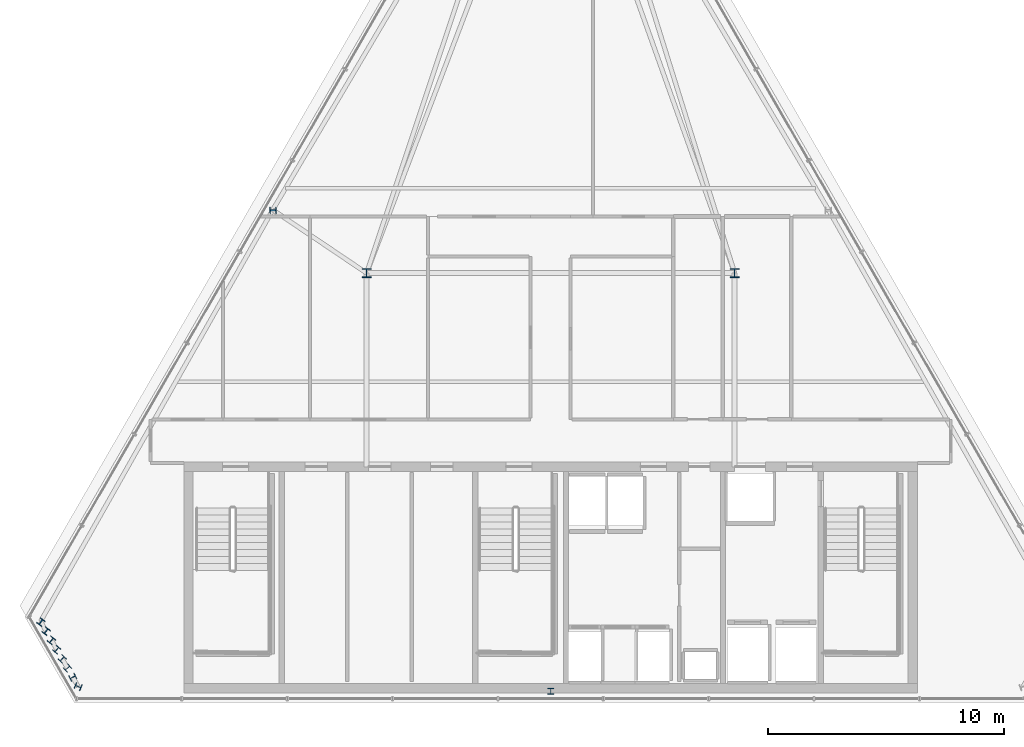
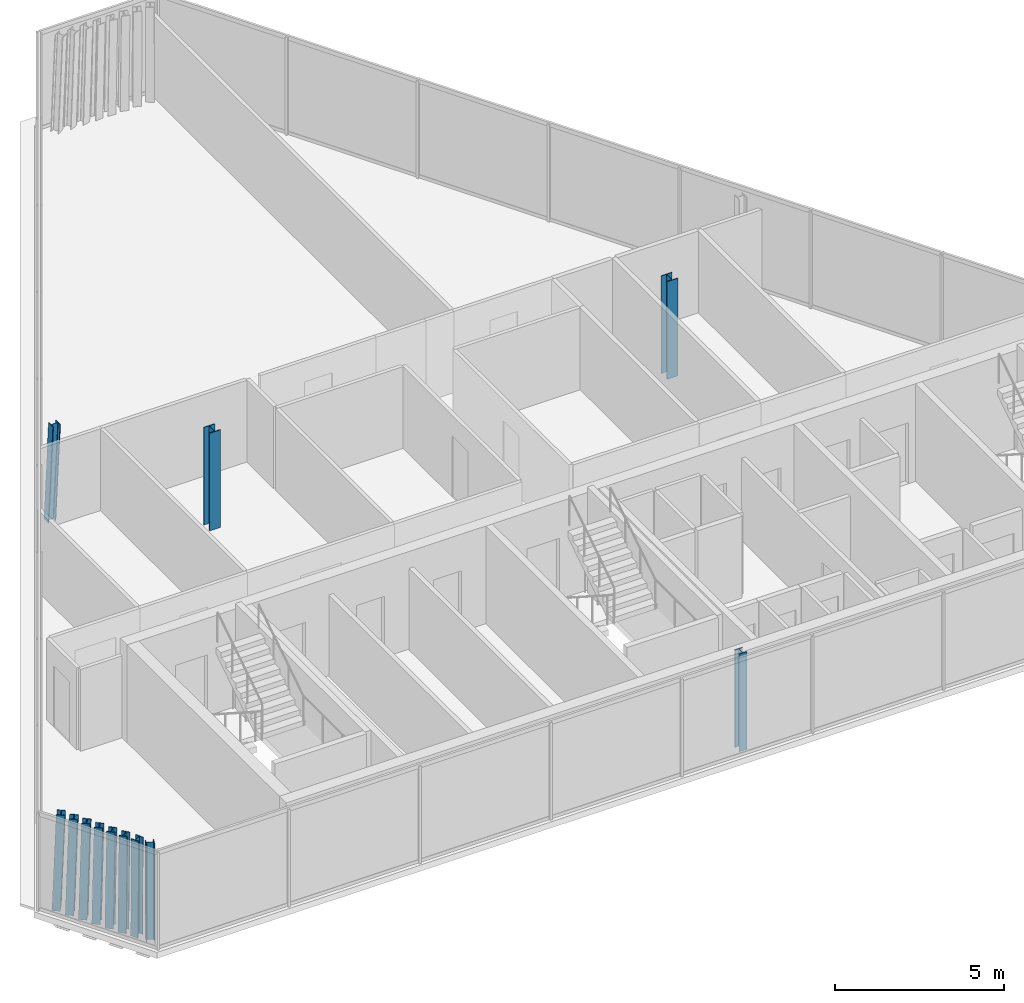
# One storey, part 1 of 32: 12 columns.
"""IFC4 building model written with IfcOpenShell, lengths in metres."""

from ifc_helpers import new_model, si_unit, direction, frame, origin, origin_2d, place, context, subcontext, project, spatial, i_section, extrude, material, material_profile, profile_set, type_object, element, save


model = new_model("IFC4")

# Units and contexts
model_context = context("Model", 3, precision=1e-05, world=origin(), true_north=direction((0.0, 1.0)))
body_context = subcontext(model_context, "Body", "Model", "MODEL_VIEW")
ifc_project = project(units=[si_unit("LENGTHUNIT", "METRE"), si_unit("AREAUNIT", "SQUARE_METRE"), si_unit("VOLUMEUNIT", "CUBIC_METRE"), si_unit("PLANEANGLEUNIT", "RADIAN"), si_unit("MASSUNIT", "GRAM", prefix="KILO")], contexts=[model_context])

# Site, building, storey
site_placement = place(None, origin())
site = spatial("IfcSite", under=ifc_project, at=site_placement, CompositionType="ELEMENT")
building_placement = place(site_placement, origin())
building = spatial("IfcBuilding", under=site, at=building_placement, Name="Ndaravel Arena Tower", CompositionType="ELEMENT")
storey_placement = place(building_placement, frame((0.0, 0.0, 294.699951171875)))
storey = spatial("IfcBuildingStorey", under=building, at=storey_placement, Name="L72", CompositionType="ELEMENT", Elevation=294.699951171875)

# Columns
ifc_material_1 = material(Name="Steel S355", Category="steel")
ifc_material_profile_1 = material_profile(ifc_material_1, i_section(OverallWidth=0.2587890625, OverallDepth=0.2666015625, WebThickness=0.0126953125, FlangeThickness=0.0205078125, FilletRadius=0.0126953125, at=origin_2d()), Name="UC 254x254x107")
ifc_profile_set_1 = profile_set([ifc_material_profile_1], Name="Steel S355")
column_type_1 = type_object("IfcColumnType", Name="COL-CRN-UC107", PredefinedType="COLUMN", material=ifc_profile_set_1)
column_1_placement = place(storey_placement, frame((42.0, 5.47998046875, 0.0), z_axis=(0.0, 0.0, 1.0), x_axis=(1.0, 0.0, 0.0)))
element("IfcColumn", 1, at=column_1_placement, inside=storey, type_object=column_type_1, Name="L72 Framed Tube Column TC-01", PredefinedType="COLUMN", context=body_context, shape_type="SweptSolid", body=[
    extrude(i_section(OverallWidth=0.2587890625, OverallDepth=0.2666015625, WebThickness=0.0126953125, FlangeThickness=0.0205078125, FilletRadius=0.0126953125, at=origin_2d()), origin(), (0.0, 0.0, 1.0), 3.52001953125),
])
for number, where, z_axis, x_axis, name in (
    (2, (30.2216796875, 25.880615234375, 0.0), (0.022172660725, -0.03838641888, 0.999016944782), (0.000225551712, 0.999262773798, 0.038390858658), "L72 Framed Tube Column TC-19"),
    (3, (20.37939453125, 8.438720703125, 0.0), (0.018084834887, -0.040119231415, 0.999031223745), (-0.811379741708, 0.583275624605, 0.038111159608), "L72 Framed Tube Column TC-20"),
):
    element("IfcColumn", number, at=place(storey_placement, frame(where, z_axis=z_axis, x_axis=x_axis)), inside=storey, type_object=column_type_1, Name=name, PredefinedType="COLUMN", context=body_context, shape_type="SweptSolid", body=[
        extrude(i_section(OverallWidth=0.2587890625, OverallDepth=0.2666015625, WebThickness=0.0126953125, FlangeThickness=0.0205078125, FilletRadius=0.0126953125, at=origin_2d()), origin(), (0.0, 0.0, 1.0), 3.5234375),
    ])
column_2_placement = place(storey_placement, frame((20.60693359375, 8.044189453125, 0.0), z_axis=(0.015039815506, -0.034792568591, 0.999281382355), x_axis=(-0.80233555176, 0.595969901273, 0.032825891606)))
element("IfcColumn", 4, at=column_2_placement, inside=storey, type_object=column_type_1, Name="L72 Framed Tube Column TC-21", PredefinedType="COLUMN", context=body_context, shape_type="SweptSolid", body=[
    extrude(i_section(OverallWidth=0.2587890625, OverallDepth=0.2666015625, WebThickness=0.0126953125, FlangeThickness=0.0205078125, FilletRadius=0.0126953125, at=origin_2d()), origin(), (0.0, 0.0, 1.0), 3.5224609375),
])
column_3_placement = place(storey_placement, frame((20.834716796875, 7.649658203125, 0.0), z_axis=(0.011992842699, -0.029392863031, 0.99949598865), x_axis=(-0.789951457202, 0.612552747737, 0.027492299011)))
element("IfcColumn", 5, at=column_3_placement, inside=storey, type_object=column_type_1, Name="L72 Framed Tube Column TC-22", PredefinedType="COLUMN", context=body_context, shape_type="SweptSolid", body=[
    extrude(i_section(OverallWidth=0.2587890625, OverallDepth=0.2666015625, WebThickness=0.0126953125, FlangeThickness=0.0205078125, FilletRadius=0.0126953125, at=origin_2d()), origin(), (0.0, 0.0, 1.0), 3.521728515625),
])
column_4_placement = place(storey_placement, frame((21.0625, 7.255126953125, 0.0), z_axis=(0.008874872109, -0.024059223607, 0.999671141128), x_axis=(-0.768718842118, 0.639201169098, 0.022208268655)))
element("IfcColumn", 6, at=column_4_placement, inside=storey, type_object=column_type_1, Name="L72 Framed Tube Column TC-23", PredefinedType="COLUMN", context=body_context, shape_type="SweptSolid", body=[
    extrude(i_section(OverallWidth=0.2587890625, OverallDepth=0.2666015625, WebThickness=0.0126953125, FlangeThickness=0.0205078125, FilletRadius=0.0126953125, at=origin_2d()), origin(), (0.0, 0.0, 1.0), 3.521240234375),
])
column_5_placement = place(storey_placement, frame((21.290283203125, 6.860595703125, 0.0), z_axis=(0.005755596019, -0.018653678663, 0.999809438537), x_axis=(-0.733059752105, 0.679954104984, 0.016906062815)))
element("IfcColumn", 7, at=column_5_placement, inside=storey, type_object=column_type_1, Name="L72 Framed Tube Column TC-24", PredefinedType="COLUMN", context=body_context, shape_type="SweptSolid", body=[
    extrude(i_section(OverallWidth=0.2587890625, OverallDepth=0.2666015625, WebThickness=0.0126953125, FlangeThickness=0.0205078125, FilletRadius=0.0126953125, at=origin_2d()), origin(), (0.0, 0.0, 1.0), 3.520751953125),
])
column_6_placement = place(storey_placement, frame((21.51806640625, 6.46630859375, 0.0), z_axis=(0.002704699938, -0.013384797127, 0.999906761555), x_axis=(-0.66161090094, 0.749754069419, 0.011825867702)))
element("IfcColumn", 8, at=column_6_placement, inside=storey, type_object=column_type_1, Name="L72 Framed Tube Column TC-25", PredefinedType="COLUMN", context=body_context, shape_type="SweptSolid", body=[
    extrude(i_section(OverallWidth=0.2587890625, OverallDepth=0.2666015625, WebThickness=0.0126953125, FlangeThickness=0.0205078125, FilletRadius=0.0126953125, at=origin_2d()), origin(), (0.0, 0.0, 1.0), 3.520263671875),
])
for number, where, z_axis, x_axis, name in (
    (9, (21.745849609375, 6.07177734375, 0.0), (-0.00041613298, -0.008045237605, 0.999967549966), (-0.454599327896, 0.890668724508, 0.006976694138), "L72 Framed Tube Column TC-26"),
    (10, (21.973388671875, 5.67724609375, 0.0), (-0.003467853824, -0.002704925983, 0.999990328636), (0.37534052439, 0.926879163524, 0.003808802441), "L72 Framed Tube Column TC-27"),
):
    element("IfcColumn", number, at=place(storey_placement, frame(where, z_axis=z_axis, x_axis=x_axis)), inside=storey, type_object=column_type_1, Name=name, PredefinedType="COLUMN", context=body_context, shape_type="SweptSolid", body=[
        extrude(i_section(OverallWidth=0.2587890625, OverallDepth=0.2666015625, WebThickness=0.0126953125, FlangeThickness=0.0205078125, FilletRadius=0.0126953125, at=origin_2d()), origin(), (0.0, 0.0, 1.0), 3.52001953125),
    ])
ifc_material_2 = material(Name="Steel S355", Category="steel")
ifc_material_profile_2 = material_profile(ifc_material_2, i_section(OverallWidth=0.374755859375, OverallDepth=0.37451171875, WebThickness=0.0166015625, FlangeThickness=0.027099609375, FilletRadius=0.01513671875, at=origin_2d()), Name="UC 356x368x202")
ifc_profile_set_2 = profile_set([ifc_material_profile_2], Name="Steel S355")
column_type_2 = type_object("IfcColumnType", Name="COL-CRN-UC202", PredefinedType="COLUMN", material=ifc_profile_set_2)
for number, where, z_axis, x_axis, name in (
    (11, (34.199951171875, 23.199951171875, 0.0), (0.0, 0.0, 1.0), (1.0, 0.0, 0.0), "L72 Interior Spine Column IC-01"),
    (12, (49.800048828125, 23.199951171875, 0.0), (0.0, 0.0, 1.0), (1.0, 0.0, 0.0), "L72 Interior Spine Column IC-02"),
):
    element("IfcColumn", number, at=place(storey_placement, frame(where, z_axis=z_axis, x_axis=x_axis)), inside=storey, type_object=column_type_2, Name=name, PredefinedType="COLUMN", context=body_context, shape_type="SweptSolid", body=[
        extrude(i_section(OverallWidth=0.374755859375, OverallDepth=0.37451171875, WebThickness=0.0166015625, FlangeThickness=0.027099609375, FilletRadius=0.01513671875, at=origin_2d()), origin(), (0.0, 0.0, 1.0), 3.52001953125),
    ])

save(model, "model.ifc")
